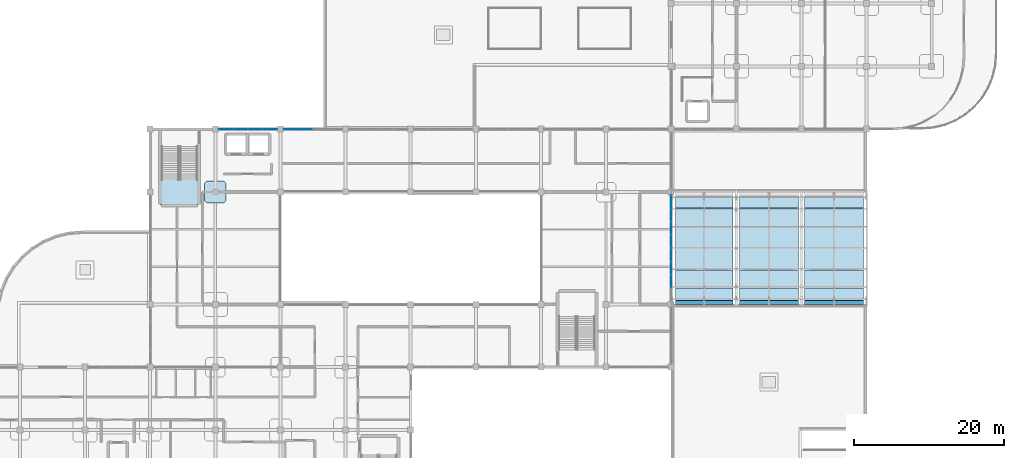
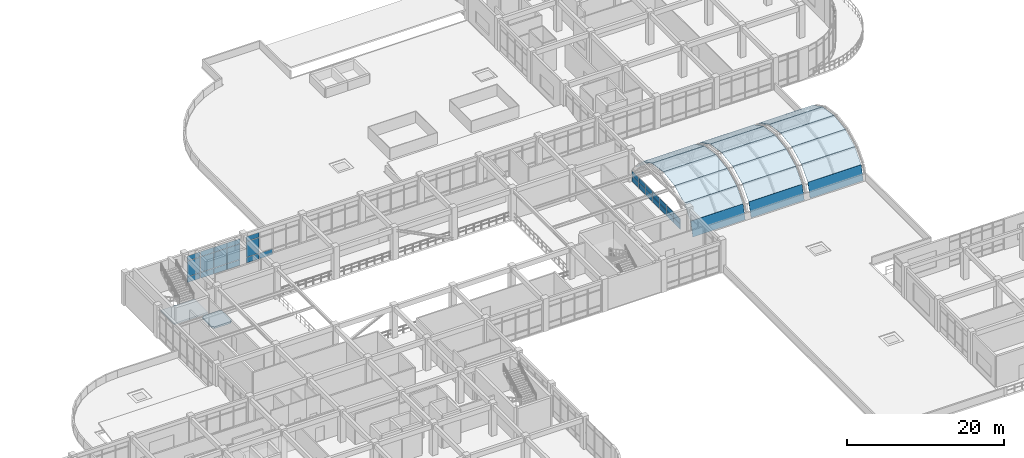
# One storey, part 96 of 124: 51 plates, 2 slabs, 5 elements without a shape of their own.
"""IFC4 building model written with IfcOpenShell, lengths in metres."""

from ifc_helpers import new_model, si_unit, derived_unit, direction, frame, origin, origin_2d, place, context, subcontext, project, spatial, polyline, rectangle, outline, extrude, material, layer, layer_set, type_object, element, aggregate, save


model = new_model("IFC4")

# Units and contexts
model_context = context("Model", 3, precision=1e-05, world=origin(), true_north=direction((0.0, 1.0)))
body_context = subcontext(model_context, "Body", "Model", "MODEL_VIEW")
ifc_project = project(units=[si_unit("LENGTHUNIT", "METRE"), si_unit("AREAUNIT", "SQUARE_METRE"), si_unit("VOLUMEUNIT", "CUBIC_METRE"), si_unit("PLANEANGLEUNIT", "RADIAN"), si_unit("MASSUNIT", "GRAM", prefix="KILO"), derived_unit("THERMALTRANSMITTANCEUNIT", [(si_unit("MASSUNIT", "GRAM", prefix="KILO"), 1), (si_unit("TIMEUNIT", "SECOND"), -3), (si_unit("THERMODYNAMICTEMPERATUREUNIT", "KELVIN"), -1)])], contexts=[model_context])

# Site, building, storey
site_placement = place(None, origin())
site = spatial("IfcSite", under=ifc_project, at=site_placement, CompositionType="ELEMENT")
building_placement = place(site_placement, origin())
building = spatial("IfcBuilding", under=site, at=building_placement, Name="Qinzheling Arcade Emporium", CompositionType="ELEMENT")
storey_placement = place(building_placement, frame((0.0, 0.0, 16.5)))
storey = spatial("IfcBuildingStorey", under=building, at=storey_placement, Name="L04", CompositionType="ELEMENT", Elevation=16.5)

# Plates
ifc_material_1 = material(Name="Ceramic-fritted laminated skylight glass", Category="glass")
ifc_layer_1 = layer(ifc_material_1, 0.032958984375, Name="Ceramic-fritted laminated skylight glass", Category="glass")
ifc_layer_set_1 = layer_set([ifc_layer_1], Name="Ceramic-fritted laminated skylight glass")
plate_type_1 = type_object("IfcPlateType", Name="Barrel Vault Skylight Roof Panel 33mm", PredefinedType="USERDEFINED", material=ifc_layer_set_1)
plate_1_placement = place(storey_placement, frame((104.93994140625, 55.02490234375, 5.20703125), z_axis=(0.0, -0.146826151413, 0.9891623129), x_axis=(1.0, 0.0, 0.0)))
element("IfcPlate", 1, at=plate_1_placement, inside=storey, type_object=plate_type_1, Name="Barrel Vault Skylight Roof Panel SKP-ARCADE-B01-S04", ObjectType="SKYLIGHT_PANEL", PredefinedType="USERDEFINED", context=body_context, shape_type="SweptSolid", body=[
    extrude(outline(polyline([(0.0, 0.0), (7.739990234375, 0.0), (7.739990234375, 2.901563423990607), (0.0, 2.901563423990607), (0.0, 0.0)])), origin(), (0.0, 0.0, -1.0), 0.032958984375),
])
plate_2_placement = place(storey_placement, frame((113.52001953125, 55.02490234375, 5.20703125), z_axis=(0.0, -0.146826151413, 0.9891623129), x_axis=(1.0, 0.0, 0.0)))
element("IfcPlate", 2, at=plate_2_placement, inside=storey, type_object=plate_type_1, Name="Barrel Vault Skylight Roof Panel SKP-ARCADE-B02-S04", ObjectType="SKYLIGHT_PANEL", PredefinedType="USERDEFINED", context=body_context, shape_type="SweptSolid", body=[
    extrude(outline(polyline([(0.0, 0.0), (7.85986328125, 0.0), (7.85986328125, 2.901563423990607), (0.0, 2.901563423990607), (0.0, 0.0)])), origin(), (0.0, 0.0, -1.0), 0.032958984375),
])
plate_3_placement = place(storey_placement, frame((122.219970703125, 55.02490234375, 5.20703125), z_axis=(0.0, -0.146826151413, 0.9891623129), x_axis=(1.0, 0.0, 0.0)))
element("IfcPlate", 3, at=plate_3_placement, inside=storey, type_object=plate_type_1, Name="Barrel Vault Skylight Roof Panel SKP-ARCADE-B03-S04", ObjectType="SKYLIGHT_PANEL", PredefinedType="USERDEFINED", context=body_context, shape_type="SweptSolid", body=[
    extrude(outline(polyline([(0.0, 0.0), (7.860107421875, 0.0), (7.860107421875, 2.901563423990607), (0.0, 2.901563423990607), (0.0, 0.0)])), origin(), (0.0, 0.0, -1.0), 0.032958984375),
])
ifc_layer_2 = layer(ifc_material_1, 0.035888671875, Name="Ceramic-fritted laminated skylight glass", Category="glass")
ifc_layer_set_2 = layer_set([ifc_layer_2], Name="Ceramic-fritted laminated skylight glass")
plate_type_2 = type_object("IfcPlateType", Name="Barrel Vault Skylight Roof Panel 36mm", PredefinedType="USERDEFINED", material=ifc_layer_set_2)
plate_4_placement = place(storey_placement, frame((104.93994140625, 50.364990234375, 0.009033203125), z_axis=(0.0, -0.966284252452, 0.257477656241), x_axis=(1.0, 0.0, 0.0)))
element("IfcPlate", 4, at=plate_4_placement, inside=storey, type_object=plate_type_2, Name="Barrel Vault Skylight Roof Panel SKP-ARCADE-B01-S01", ObjectType="SKYLIGHT_PANEL", PredefinedType="USERDEFINED", context=body_context, shape_type="SweptSolid", body=[
    extrude(outline(polyline([(0.0, 0.0), (7.739990234375, 0.0), (7.739990234375, 2.217842628410888), (0.0, 2.217842628410888), (0.0, 0.0)])), origin(), (0.0, 0.0, -1.0), 0.035888671875),
])
plate_5_placement = place(storey_placement, frame((104.93994140625, 57.905029296875, 5.635986328125), z_axis=(0.0, 0.146838372637, 0.989160498767), x_axis=(1.0, 0.0, 0.0)))
element("IfcPlate", 5, at=plate_5_placement, inside=storey, type_object=plate_type_2, Name="Barrel Vault Skylight Roof Panel SKP-ARCADE-B01-S05", ObjectType="SKYLIGHT_PANEL", PredefinedType="USERDEFINED", context=body_context, shape_type="SweptSolid", body=[
    extrude(outline(polyline([(0.0, 0.0), (7.739990234375, 0.0), (7.739990234375, 2.9013219295067514), (0.0, 2.9013219295067514), (0.0, 0.0)])), origin(), (0.0, 0.0, -1.0), 0.035888671875),
])
plate_6_placement = place(storey_placement, frame((113.52001953125, 50.364990234375, 0.009033203125), z_axis=(0.0, -0.966284252452, 0.257477656241), x_axis=(1.0, 0.0, 0.0)))
element("IfcPlate", 6, at=plate_6_placement, inside=storey, type_object=plate_type_2, Name="Barrel Vault Skylight Roof Panel SKP-ARCADE-B02-S01", ObjectType="SKYLIGHT_PANEL", PredefinedType="USERDEFINED", context=body_context, shape_type="SweptSolid", body=[
    extrude(outline(polyline([(0.0, 0.0), (7.85986328125, 0.0), (7.85986328125, 2.217842628410888), (0.0, 2.217842628410888), (0.0, 0.0)])), origin(), (0.0, 0.0, -1.0), 0.035888671875),
])
plate_7_placement = place(storey_placement, frame((113.52001953125, 57.905029296875, 5.635986328125), z_axis=(0.0, 0.146838372637, 0.989160498767), x_axis=(1.0, 0.0, 0.0)))
element("IfcPlate", 7, at=plate_7_placement, inside=storey, type_object=plate_type_2, Name="Barrel Vault Skylight Roof Panel SKP-ARCADE-B02-S05", ObjectType="SKYLIGHT_PANEL", PredefinedType="USERDEFINED", context=body_context, shape_type="SweptSolid", body=[
    extrude(outline(polyline([(0.0, 0.0), (7.85986328125, 0.0), (7.85986328125, 2.9013219295067514), (0.0, 2.9013219295067514), (0.0, 0.0)])), origin(), (0.0, 0.0, -1.0), 0.035888671875),
])
plate_8_placement = place(storey_placement, frame((122.219970703125, 50.364990234375, 0.009033203125), z_axis=(0.0, -0.966284252452, 0.257477656241), x_axis=(1.0, 0.0, 0.0)))
element("IfcPlate", 8, at=plate_8_placement, inside=storey, type_object=plate_type_2, Name="Barrel Vault Skylight Roof Panel SKP-ARCADE-B03-S01", ObjectType="SKYLIGHT_PANEL", PredefinedType="USERDEFINED", context=body_context, shape_type="SweptSolid", body=[
    extrude(outline(polyline([(0.0, 0.0), (7.860107421875, 0.0), (7.860107421875, 2.217842628410888), (0.0, 2.217842628410888), (0.0, 0.0)])), origin(), (0.0, 0.0, -1.0), 0.035888671875),
])
plate_9_placement = place(storey_placement, frame((122.219970703125, 57.905029296875, 5.635986328125), z_axis=(0.0, 0.146838372637, 0.989160498767), x_axis=(1.0, 0.0, 0.0)))
element("IfcPlate", 9, at=plate_9_placement, inside=storey, type_object=plate_type_2, Name="Barrel Vault Skylight Roof Panel SKP-ARCADE-B03-S05", ObjectType="SKYLIGHT_PANEL", PredefinedType="USERDEFINED", context=body_context, shape_type="SweptSolid", body=[
    extrude(outline(polyline([(0.0, 0.0), (7.860107421875, 0.0), (7.860107421875, 2.901321929506752), (0.0, 2.901321929506752), (0.0, 0.0)])), origin(), (0.0, 0.0, -1.0), 0.035888671875),
])
ifc_layer_3 = layer(ifc_material_1, 0.0400390625, Name="Ceramic-fritted laminated skylight glass", Category="glass")
ifc_layer_set_3 = layer_set([ifc_layer_3], Name="Ceramic-fritted laminated skylight glass")
plate_type_3 = type_object("IfcPlateType", Name="Barrel Vault Skylight Roof Panel 40mm", PredefinedType="USERDEFINED", material=ifc_layer_set_3)
plate_10_placement = place(storey_placement, frame((104.93994140625, 50.94091796875, 2.169921875), z_axis=(0.0, -0.745217745574, 0.666821199184), x_axis=(1.0, 0.0, 0.0)))
element("IfcPlate", 10, at=plate_10_placement, inside=storey, type_object=plate_type_3, Name="Barrel Vault Skylight Roof Panel SKP-ARCADE-B01-S02", ObjectType="SKYLIGHT_PANEL", PredefinedType="USERDEFINED", context=body_context, shape_type="SweptSolid", body=[
    extrude(outline(polyline([(0.0, 0.0), (7.739990234375, 0.0), (7.739990234375, 2.4383996257018565), (0.0, 2.4383996257018565), (0.0, 0.0)])), origin(), (0.0, 0.0, -1.0), 0.0400390625),
])
plate_11_placement = place(storey_placement, frame((104.93994140625, 60.7880859375, 5.2099609375), z_axis=(0.0, 0.446459161146, 0.894804010624), x_axis=(1.0, 0.0, 0.0)))
element("IfcPlate", 11, at=plate_11_placement, inside=storey, type_object=plate_type_3, Name="Barrel Vault Skylight Roof Panel SKP-ARCADE-B01-S06", ObjectType="SKYLIGHT_PANEL", PredefinedType="USERDEFINED", context=body_context, shape_type="SweptSolid", body=[
    extrude(outline(polyline([(0.0, 0.0), (7.739990234375, 0.0), (7.739990234375, 2.7188761999722053), (0.0, 2.7188761999722053), (0.0, 0.0)])), origin(), (0.0, 0.0, -1.0), 0.0400390625),
])
plate_12_placement = place(storey_placement, frame((113.52001953125, 50.94091796875, 2.169921875), z_axis=(0.0, -0.745217745574, 0.666821199184), x_axis=(1.0, 0.0, 0.0)))
element("IfcPlate", 12, at=plate_12_placement, inside=storey, type_object=plate_type_3, Name="Barrel Vault Skylight Roof Panel SKP-ARCADE-B02-S02", ObjectType="SKYLIGHT_PANEL", PredefinedType="USERDEFINED", context=body_context, shape_type="SweptSolid", body=[
    extrude(outline(polyline([(0.0, 0.0), (7.85986328125, 0.0), (7.85986328125, 2.438399625701857), (0.0, 2.438399625701857), (0.0, 0.0)])), origin(), (0.0, 0.0, -1.0), 0.0400390625),
])
plate_13_placement = place(storey_placement, frame((113.52001953125, 60.7880859375, 5.2099609375), z_axis=(0.0, 0.446459161146, 0.894804010624), x_axis=(1.0, 0.0, 0.0)))
element("IfcPlate", 13, at=plate_13_placement, inside=storey, type_object=plate_type_3, Name="Barrel Vault Skylight Roof Panel SKP-ARCADE-B02-S06", ObjectType="SKYLIGHT_PANEL", PredefinedType="USERDEFINED", context=body_context, shape_type="SweptSolid", body=[
    extrude(outline(polyline([(0.0, 0.0), (7.85986328125, 0.0), (7.85986328125, 2.7188761999722053), (0.0, 2.7188761999722053), (0.0, 0.0)])), origin(), (0.0, 0.0, -1.0), 0.0400390625),
])
plate_14_placement = place(storey_placement, frame((122.219970703125, 50.94091796875, 2.169921875), z_axis=(0.0, -0.745217745574, 0.666821199184), x_axis=(1.0, 0.0, 0.0)))
element("IfcPlate", 14, at=plate_14_placement, inside=storey, type_object=plate_type_3, Name="Barrel Vault Skylight Roof Panel SKP-ARCADE-B03-S02", ObjectType="SKYLIGHT_PANEL", PredefinedType="USERDEFINED", context=body_context, shape_type="SweptSolid", body=[
    extrude(outline(polyline([(0.0, 0.0), (7.860107421875, 0.0), (7.860107421875, 2.4383996257018565), (0.0, 2.4383996257018565), (0.0, 0.0)])), origin(), (0.0, 0.0, -1.0), 0.0400390625),
])
plate_15_placement = place(storey_placement, frame((122.219970703125, 60.7880859375, 5.2099609375), z_axis=(0.0, 0.446459161146, 0.894804010624), x_axis=(1.0, 0.0, 0.0)))
element("IfcPlate", 15, at=plate_15_placement, inside=storey, type_object=plate_type_3, Name="Barrel Vault Skylight Roof Panel SKP-ARCADE-B03-S06", ObjectType="SKYLIGHT_PANEL", PredefinedType="USERDEFINED", context=body_context, shape_type="SweptSolid", body=[
    extrude(outline(polyline([(0.0, 0.0), (7.860107421875, 0.0), (7.860107421875, 2.7188761999722053), (0.0, 2.7188761999722053), (0.0, 0.0)])), origin(), (0.0, 0.0, -1.0), 0.0400390625),
])
ifc_layer_4 = layer(ifc_material_1, 0.0439453125, Name="Ceramic-fritted laminated skylight glass", Category="glass")
ifc_layer_set_4 = layer_set([ifc_layer_4], Name="Ceramic-fritted laminated skylight glass")
plate_type_4 = type_object("IfcPlateType", Name="Barrel Vault Skylight Roof Panel 44mm", PredefinedType="USERDEFINED", material=ifc_layer_set_4)
plate_16_placement = place(storey_placement, frame((104.93994140625, 52.576904296875, 3.9990234375), z_axis=(0.0, -0.446423291282, 0.894821906862), x_axis=(1.0, 0.0, 0.0)))
element("IfcPlate", 16, at=plate_16_placement, inside=storey, type_object=plate_type_4, Name="Barrel Vault Skylight Roof Panel SKP-ARCADE-B01-S03", ObjectType="SKYLIGHT_PANEL", PredefinedType="USERDEFINED", context=body_context, shape_type="SweptSolid", body=[
    extrude(outline(polyline([(0.0, 0.0), (7.739990234375, 0.0), (7.739990234375, 2.7190946601672983), (0.0, 2.7190946601672983), (0.0, 0.0)])), origin(), (0.0, 0.0, -1.0), 0.0439453125),
])
plate_17_placement = place(storey_placement, frame((104.93994140625, 63.236083984375, 3.989013671875), z_axis=(0.0, 0.745173220713, 0.666870955382), x_axis=(1.0, 0.0, 0.0)))
element("IfcPlate", 17, at=plate_17_placement, inside=storey, type_object=plate_type_4, Name="Barrel Vault Skylight Roof Panel SKP-ARCADE-B01-S07", ObjectType="SKYLIGHT_PANEL", PredefinedType="USERDEFINED", context=body_context, shape_type="SweptSolid", body=[
    extrude(outline(polyline([(0.0, 0.0), (7.739990234375, 0.0), (7.739990234375, 2.4382176932106523), (0.0, 2.4382176932106523), (0.0, 0.0)])), origin(), (0.0, 0.0, -1.0), 0.0439453125),
])
plate_18_placement = place(storey_placement, frame((113.52001953125, 52.576904296875, 3.9990234375), z_axis=(0.0, -0.446423291282, 0.894821906862), x_axis=(1.0, 0.0, 0.0)))
element("IfcPlate", 18, at=plate_18_placement, inside=storey, type_object=plate_type_4, Name="Barrel Vault Skylight Roof Panel SKP-ARCADE-B02-S03", ObjectType="SKYLIGHT_PANEL", PredefinedType="USERDEFINED", context=body_context, shape_type="SweptSolid", body=[
    extrude(outline(polyline([(0.0, 0.0), (7.85986328125, 0.0), (7.85986328125, 2.7190946601672983), (0.0, 2.7190946601672983), (0.0, 0.0)])), origin(), (0.0, 0.0, -1.0), 0.0439453125),
])
plate_19_placement = place(storey_placement, frame((113.52001953125, 63.236083984375, 3.989013671875), z_axis=(0.0, 0.745173220713, 0.666870955382), x_axis=(1.0, 0.0, 0.0)))
element("IfcPlate", 19, at=plate_19_placement, inside=storey, type_object=plate_type_4, Name="Barrel Vault Skylight Roof Panel SKP-ARCADE-B02-S07", ObjectType="SKYLIGHT_PANEL", PredefinedType="USERDEFINED", context=body_context, shape_type="SweptSolid", body=[
    extrude(outline(polyline([(0.0, 0.0), (7.85986328125, 0.0), (7.85986328125, 2.4382176932106523), (0.0, 2.4382176932106523), (0.0, 0.0)])), origin(), (0.0, 0.0, -1.0), 0.0439453125),
])
plate_20_placement = place(storey_placement, frame((122.219970703125, 52.576904296875, 3.9990234375), z_axis=(0.0, -0.446423291282, 0.894821906862), x_axis=(1.0, 0.0, 0.0)))
element("IfcPlate", 20, at=plate_20_placement, inside=storey, type_object=plate_type_4, Name="Barrel Vault Skylight Roof Panel SKP-ARCADE-B03-S03", ObjectType="SKYLIGHT_PANEL", PredefinedType="USERDEFINED", context=body_context, shape_type="SweptSolid", body=[
    extrude(outline(polyline([(0.0, 0.0), (7.860107421875, 0.0), (7.860107421875, 2.7190946601672987), (0.0, 2.7190946601672987), (0.0, 0.0)])), origin(), (0.0, 0.0, -1.0), 0.0439453125),
])
plate_21_placement = place(storey_placement, frame((122.219970703125, 63.236083984375, 3.989013671875), z_axis=(0.0, 0.745173220713, 0.666870955382), x_axis=(1.0, 0.0, 0.0)))
element("IfcPlate", 21, at=plate_21_placement, inside=storey, type_object=plate_type_4, Name="Barrel Vault Skylight Roof Panel SKP-ARCADE-B03-S07", ObjectType="SKYLIGHT_PANEL", PredefinedType="USERDEFINED", context=body_context, shape_type="SweptSolid", body=[
    extrude(outline(polyline([(0.0, 0.0), (7.860107421875, 0.0), (7.860107421875, 2.4382176932106523), (0.0, 2.4382176932106523), (0.0, 0.0)])), origin(), (0.0, 0.0, -1.0), 0.0439453125),
])

# Slab
ifc_material_2 = material(Name="Concrete C40", Category="concrete")
ifc_layer_5 = layer(ifc_material_2, 0.27001953125, Name="Concrete C40", Category="concrete")
ifc_layer_set_5 = layer_set([ifc_layer_5], Name="Concrete C40")
slab_type_1 = type_object("IfcSlabType", Name="Column Head Drop Panel 2900x2900x270 C40", PredefinedType="USERDEFINED", material=ifc_layer_set_5)
slab_1_placement = place(storey_placement, frame((0.0, 0.0, -0.550048828125)))
element("IfcSlab", 22, at=slab_1_placement, inside=storey, type_object=slab_type_1, Name="Column Drop Panel DP-L04-6-H", ObjectType="DROP_PANEL", PredefinedType="USERDEFINED", context=body_context, shape_type="SweptSolid", body=[
    extrude(outline(polyline([(42.330078125, 63.949951171875), (44.669921875, 63.949951171875), (44.949951171875, 64.22998046875), (44.949951171875, 66.570068359375), (44.669921875, 66.85009765625), (42.330078125, 66.85009765625), (42.050048828125, 66.570068359375), (42.050048828125, 64.22998046875), (42.330078125, 63.949951171875)])), origin(), (0.0, 0.0, 1.0), 0.27001953125),
])

# Curtain wall, plates
ifc_material_3 = material(Name="Anodised aluminium and solar-control double glazing", Category="aluminium")
ifc_layer_6 = layer(ifc_material_3, 0.159912109375, Name="Anodised aluminium and solar-control double glazing", Category="aluminium")
ifc_layer_set_6 = layer_set([ifc_layer_6], Name="Anodised aluminium and solar-control double glazing")
curtain_wall_type = type_object("IfcCurtainWallType", Name="Atrium Clerestory Curtain Wall", PredefinedType="NOTDEFINED", material=ifc_layer_set_6)
curtain_wall_1_placement = place(storey_placement, origin())
curtain_wall_1 = element("IfcCurtainWall", 23, at=curtain_wall_1_placement, inside=storey, type_object=curtain_wall_type, Name="Curtain Wall CW-L04-243", PredefinedType="NOTDEFINED")
ifc_material_4 = material(Name="Laminated solar-control double glazing", Category="glass")
ifc_layer_7 = layer(ifc_material_4, 0.028076171875, Name="Laminated solar-control double glazing", Category="glass")
ifc_layer_set_7 = layer_set([ifc_layer_7], Name="Laminated solar-control double glazing")
plate_type_5 = type_object("IfcPlateType", Name="Low-E Double Glazed Curtain Panel 28mm", PredefinedType="CURTAIN_PANEL", material=ifc_layer_set_7)
plate_22_placement = place(storey_placement, frame((44.904052734375, 73.800048828125, 0.06005859375), z_axis=(0.0, 0.0, 1.0), x_axis=(1.0, 0.0, 0.0)))
plate_22 = element("IfcPlate", 24, at=plate_22_placement, type_object=plate_type_5, Name="CW03 panel 1.1", PredefinedType="CURTAIN_PANEL", context=body_context, shape_type="SweptSolid", body=[
    extrude(rectangle(XDim=1.884033203125, YDim=0.028076171875, at=origin_2d()), origin(), (0.0, 0.0, 1.0), 0.860107421875),
])
plate_23_placement = place(storey_placement, frame((44.904052734375, 73.800048828125, 0.97998046875), z_axis=(0.0, 0.0, 1.0), x_axis=(1.0, 0.0, 0.0)))
plate_23 = element("IfcPlate", 25, at=plate_23_placement, type_object=plate_type_5, Name="CW03 panel 1.2", PredefinedType="CURTAIN_PANEL", context=body_context, shape_type="SweptSolid", body=[
    extrude(rectangle(XDim=1.884033203125, YDim=0.028076171875, at=origin_2d()), origin(), (0.0, 0.0, 1.0), 2.39501953125),
])
plate_24_placement = place(storey_placement, frame((44.904052734375, 73.800048828125, 3.43505859375), z_axis=(0.0, 0.0, 1.0), x_axis=(1.0, 0.0, 0.0)))
plate_24 = element("IfcPlate", 26, at=plate_24_placement, type_object=plate_type_5, Name="CW03 panel 1.3", PredefinedType="CURTAIN_PANEL", context=body_context, shape_type="SweptSolid", body=[
    extrude(rectangle(XDim=1.884033203125, YDim=0.028076171875, at=origin_2d()), origin(), (0.0, 0.0, 1.0), 0.760009765625),
])
plate_25_placement = place(storey_placement, frame((46.863037109375, 73.800048828125, 0.06005859375), z_axis=(0.0, 0.0, 1.0), x_axis=(1.0, 0.0, 0.0)))
plate_25 = element("IfcPlate", 27, at=plate_25_placement, type_object=plate_type_5, Name="CW03 panel 2.1", PredefinedType="CURTAIN_PANEL", context=body_context, shape_type="SweptSolid", body=[
    extrude(rectangle(XDim=1.9140625, YDim=0.028076171875, at=origin_2d()), origin(), (0.0, 0.0, 1.0), 0.860107421875),
])
plate_26_placement = place(storey_placement, frame((46.863037109375, 73.800048828125, 0.97998046875), z_axis=(0.0, 0.0, 1.0), x_axis=(1.0, 0.0, 0.0)))
plate_26 = element("IfcPlate", 28, at=plate_26_placement, type_object=plate_type_5, Name="CW03 panel 2.2", PredefinedType="CURTAIN_PANEL", context=body_context, shape_type="SweptSolid", body=[
    extrude(rectangle(XDim=1.9140625, YDim=0.028076171875, at=origin_2d()), origin(), (0.0, 0.0, 1.0), 2.39501953125),
])
plate_27_placement = place(storey_placement, frame((46.863037109375, 73.800048828125, 3.43505859375), z_axis=(0.0, 0.0, 1.0), x_axis=(1.0, 0.0, 0.0)))
plate_27 = element("IfcPlate", 29, at=plate_27_placement, type_object=plate_type_5, Name="CW03 panel 2.3", PredefinedType="CURTAIN_PANEL", context=body_context, shape_type="SweptSolid", body=[
    extrude(rectangle(XDim=1.9140625, YDim=0.028076171875, at=origin_2d()), origin(), (0.0, 0.0, 1.0), 0.760009765625),
])
plate_28_placement = place(storey_placement, frame((48.8369140625, 73.800048828125, 0.06005859375), z_axis=(0.0, 0.0, 1.0), x_axis=(1.0, 0.0, 0.0)))
plate_28 = element("IfcPlate", 30, at=plate_28_placement, type_object=plate_type_5, Name="CW03 panel 3.1", PredefinedType="CURTAIN_PANEL", context=body_context, shape_type="SweptSolid", body=[
    extrude(rectangle(XDim=1.9140625, YDim=0.028076171875, at=origin_2d()), origin(), (0.0, 0.0, 1.0), 0.860107421875),
])
plate_29_placement = place(storey_placement, frame((48.8369140625, 73.800048828125, 0.97998046875), z_axis=(0.0, 0.0, 1.0), x_axis=(1.0, 0.0, 0.0)))
plate_29 = element("IfcPlate", 31, at=plate_29_placement, type_object=plate_type_5, Name="CW03 panel 3.2", PredefinedType="CURTAIN_PANEL", context=body_context, shape_type="SweptSolid", body=[
    extrude(rectangle(XDim=1.9140625, YDim=0.028076171875, at=origin_2d()), origin(), (0.0, 0.0, 1.0), 2.39501953125),
])
plate_30_placement = place(storey_placement, frame((48.8369140625, 73.800048828125, 3.43505859375), z_axis=(0.0, 0.0, 1.0), x_axis=(1.0, 0.0, 0.0)))
plate_30 = element("IfcPlate", 32, at=plate_30_placement, type_object=plate_type_5, Name="CW03 panel 3.3", PredefinedType="CURTAIN_PANEL", context=body_context, shape_type="SweptSolid", body=[
    extrude(rectangle(XDim=1.9140625, YDim=0.028076171875, at=origin_2d()), origin(), (0.0, 0.0, 1.0), 0.760009765625),
])
plate_31_placement = place(storey_placement, frame((50.7958984375, 73.800048828125, 0.06005859375), z_axis=(0.0, 0.0, 1.0), x_axis=(1.0, 0.0, 0.0)))
plate_31 = element("IfcPlate", 33, at=plate_31_placement, type_object=plate_type_5, Name="CW03 panel 4.1", PredefinedType="CURTAIN_PANEL", context=body_context, shape_type="SweptSolid", body=[
    extrude(rectangle(XDim=1.884033203125, YDim=0.028076171875, at=origin_2d()), origin(), (0.0, 0.0, 1.0), 0.860107421875),
])
plate_32_placement = place(storey_placement, frame((50.7958984375, 73.800048828125, 0.97998046875), z_axis=(0.0, 0.0, 1.0), x_axis=(1.0, 0.0, 0.0)))
plate_32 = element("IfcPlate", 34, at=plate_32_placement, type_object=plate_type_5, Name="CW03 panel 4.2", PredefinedType="CURTAIN_PANEL", context=body_context, shape_type="SweptSolid", body=[
    extrude(rectangle(XDim=1.884033203125, YDim=0.028076171875, at=origin_2d()), origin(), (0.0, 0.0, 1.0), 2.39501953125),
])
plate_33_placement = place(storey_placement, frame((50.7958984375, 73.800048828125, 3.43505859375), z_axis=(0.0, 0.0, 1.0), x_axis=(1.0, 0.0, 0.0)))
plate_33 = element("IfcPlate", 35, at=plate_33_placement, type_object=plate_type_5, Name="CW03 panel 4.3", PredefinedType="CURTAIN_PANEL", context=body_context, shape_type="SweptSolid", body=[
    extrude(rectangle(XDim=1.884033203125, YDim=0.028076171875, at=origin_2d()), origin(), (0.0, 0.0, 1.0), 0.760009765625),
])
aggregate(curtain_wall_1, [plate_22, plate_23, plate_24, plate_25, plate_26, plate_27, plate_28, plate_29, plate_30, plate_31, plate_32, plate_33])

curtain_wall_2_placement = place(storey_placement, origin())
curtain_wall_2 = element("IfcCurtainWall", 36, at=curtain_wall_2_placement, inside=storey, type_object=curtain_wall_type, Name="Curtain Wall CW-L04-244", PredefinedType="NOTDEFINED")
ifc_layer_8 = layer(ifc_material_4, 0.029052734375, Name="Laminated solar-control double glazing", Category="glass")
ifc_layer_set_8 = layer_set([ifc_layer_8], Name="Laminated solar-control double glazing")
plate_type_6 = type_object("IfcPlateType", Name="Low-E Double Glazed Curtain Panel 29mm", PredefinedType="CURTAIN_PANEL", material=ifc_layer_set_8)
plate_34_placement = place(storey_placement, frame((53.60400390625, 73.800048828125, 0.06005859375), z_axis=(0.0, 0.0, 1.0), x_axis=(1.0, 0.0, 0.0)))
plate_34 = element("IfcPlate", 37, at=plate_34_placement, type_object=plate_type_6, Name="CW03 panel 1.1", PredefinedType="CURTAIN_PANEL", context=body_context, shape_type="SweptSolid", body=[
    extrude(rectangle(XDim=1.884033203125, YDim=0.029052734375, at=origin_2d()), origin(), (0.0, 0.0, 1.0), 0.860107421875),
])
plate_35_placement = place(storey_placement, frame((53.60400390625, 73.800048828125, 0.97998046875), z_axis=(0.0, 0.0, 1.0), x_axis=(1.0, 0.0, 0.0)))
plate_35 = element("IfcPlate", 38, at=plate_35_placement, type_object=plate_type_6, Name="CW03 panel 1.2", PredefinedType="CURTAIN_PANEL", context=body_context, shape_type="SweptSolid", body=[
    extrude(rectangle(XDim=1.884033203125, YDim=0.029052734375, at=origin_2d()), origin(), (0.0, 0.0, 1.0), 2.39501953125),
])
plate_36_placement = place(storey_placement, frame((53.60400390625, 73.800048828125, 3.43505859375), z_axis=(0.0, 0.0, 1.0), x_axis=(1.0, 0.0, 0.0)))
plate_36 = element("IfcPlate", 39, at=plate_36_placement, type_object=plate_type_6, Name="CW03 panel 1.3", PredefinedType="CURTAIN_PANEL", context=body_context, shape_type="SweptSolid", body=[
    extrude(rectangle(XDim=1.884033203125, YDim=0.029052734375, at=origin_2d()), origin(), (0.0, 0.0, 1.0), 0.760009765625),
])
plate_37_placement = place(storey_placement, frame((55.56298828125, 73.800048828125, 0.06005859375), z_axis=(0.0, 0.0, 1.0), x_axis=(1.0, 0.0, 0.0)))
plate_37 = element("IfcPlate", 40, at=plate_37_placement, type_object=plate_type_6, Name="CW03 panel 2.1", PredefinedType="CURTAIN_PANEL", context=body_context, shape_type="SweptSolid", body=[
    extrude(rectangle(XDim=1.9140625, YDim=0.029052734375, at=origin_2d()), origin(), (0.0, 0.0, 1.0), 0.860107421875),
])
aggregate(curtain_wall_2, [plate_34, plate_35, plate_36, plate_37])

curtain_wall_3_placement = place(storey_placement, origin())
curtain_wall_3 = element("IfcCurtainWall", 41, at=curtain_wall_3_placement, inside=storey, type_object=curtain_wall_type, Name="Curtain Wall CW-L04-251", PredefinedType="NOTDEFINED")
ifc_layer_9 = layer(ifc_material_4, 0.0400390625, Name="Laminated solar-control double glazing", Category="glass")
ifc_layer_set_9 = layer_set([ifc_layer_9], Name="Laminated solar-control double glazing")
plate_type_7 = type_object("IfcPlateType", Name="Low-E Double Glazed Curtain Panel 40mm", PredefinedType="CURTAIN_PANEL", material=ifc_layer_set_9)
plate_38_placement = place(storey_placement, frame((104.39990234375, 64.095947265625, 0.06005859375), z_axis=(0.0, 0.0, 1.0), x_axis=(0.0, -1.0, 0.0)))
plate_38 = element("IfcPlate", 42, at=plate_38_placement, type_object=plate_type_7, Name="CW03 panel 1.1", PredefinedType="CURTAIN_PANEL", context=body_context, shape_type="SweptSolid", body=[
    extrude(rectangle(XDim=1.68408203125, YDim=0.0400390625, at=origin_2d()), origin(), (0.0, 0.0, 1.0), 0.7900390625),
])
plate_39_placement = place(storey_placement, frame((104.39990234375, 64.095947265625, 0.909912109375), z_axis=(0.0, 0.0, 1.0), x_axis=(0.0, -1.0, 0.0)))
plate_39 = element("IfcPlate", 43, at=plate_39_placement, type_object=plate_type_7, Name="CW03 panel 1.2", PredefinedType="CURTAIN_PANEL", context=body_context, shape_type="SweptSolid", body=[
    extrude(rectangle(XDim=1.68408203125, YDim=0.0400390625, at=origin_2d()), origin(), (0.0, 0.0, 1.0), 0.7890625),
])
plate_40_placement = place(storey_placement, frame((104.39990234375, 62.3369140625, 0.06005859375), z_axis=(0.0, 0.0, 1.0), x_axis=(0.0, -1.0, 0.0)))
plate_40 = element("IfcPlate", 44, at=plate_40_placement, type_object=plate_type_7, Name="CW03 panel 2.1", PredefinedType="CURTAIN_PANEL", context=body_context, shape_type="SweptSolid", body=[
    extrude(rectangle(XDim=1.714111328125, YDim=0.0400390625, at=origin_2d()), origin(), (0.0, 0.0, 1.0), 0.7900390625),
])
plate_41_placement = place(storey_placement, frame((104.39990234375, 62.3369140625, 0.909912109375), z_axis=(0.0, 0.0, 1.0), x_axis=(0.0, -1.0, 0.0)))
plate_41 = element("IfcPlate", 45, at=plate_41_placement, type_object=plate_type_7, Name="CW03 panel 2.2", PredefinedType="CURTAIN_PANEL", context=body_context, shape_type="SweptSolid", body=[
    extrude(rectangle(XDim=1.714111328125, YDim=0.0400390625, at=origin_2d()), origin(), (0.0, 0.0, 1.0), 0.7890625),
])
plate_42_placement = place(storey_placement, frame((104.39990234375, 60.56298828125, 0.06005859375), z_axis=(0.0, 0.0, 1.0), x_axis=(0.0, -1.0, 0.0)))
plate_42 = element("IfcPlate", 46, at=plate_42_placement, type_object=plate_type_7, Name="CW03 panel 3.1", PredefinedType="CURTAIN_PANEL", context=body_context, shape_type="SweptSolid", body=[
    extrude(rectangle(XDim=1.714111328125, YDim=0.0400390625, at=origin_2d()), origin(), (0.0, 0.0, 1.0), 0.7900390625),
])
plate_43_placement = place(storey_placement, frame((104.39990234375, 60.56298828125, 0.909912109375), z_axis=(0.0, 0.0, 1.0), x_axis=(0.0, -1.0, 0.0)))
plate_43 = element("IfcPlate", 47, at=plate_43_placement, type_object=plate_type_7, Name="CW03 panel 3.2", PredefinedType="CURTAIN_PANEL", context=body_context, shape_type="SweptSolid", body=[
    extrude(rectangle(XDim=1.714111328125, YDim=0.0400390625, at=origin_2d()), origin(), (0.0, 0.0, 1.0), 0.7890625),
])
plate_44_placement = place(storey_placement, frame((104.39990234375, 58.803955078125, 0.06005859375), z_axis=(0.0, 0.0, 1.0), x_axis=(0.0, -1.0, 0.0)))
plate_44 = element("IfcPlate", 48, at=plate_44_placement, type_object=plate_type_7, Name="CW03 panel 4.1", PredefinedType="CURTAIN_PANEL", context=body_context, shape_type="SweptSolid", body=[
    extrude(rectangle(XDim=1.68408203125, YDim=0.0400390625, at=origin_2d()), origin(), (0.0, 0.0, 1.0), 0.7900390625),
])
plate_45_placement = place(storey_placement, frame((104.39990234375, 58.803955078125, 0.909912109375), z_axis=(0.0, 0.0, 1.0), x_axis=(0.0, -1.0, 0.0)))
plate_45 = element("IfcPlate", 49, at=plate_45_placement, type_object=plate_type_7, Name="CW03 panel 4.2", PredefinedType="CURTAIN_PANEL", context=body_context, shape_type="SweptSolid", body=[
    extrude(rectangle(XDim=1.68408203125, YDim=0.0400390625, at=origin_2d()), origin(), (0.0, 0.0, 1.0), 0.7890625),
])
aggregate(curtain_wall_3, [plate_38, plate_39, plate_40, plate_41, plate_42, plate_43, plate_44, plate_45])

curtain_wall_4_placement = place(storey_placement, origin())
curtain_wall_4 = element("IfcCurtainWall", 50, at=curtain_wall_4_placement, inside=storey, type_object=curtain_wall_type, Name="Curtain Wall CW-L04-252", PredefinedType="NOTDEFINED")
ifc_layer_10 = layer(ifc_material_4, 0.0419921875, Name="Laminated solar-control double glazing", Category="glass")
ifc_layer_set_10 = layer_set([ifc_layer_10], Name="Laminated solar-control double glazing")
plate_type_8 = type_object("IfcPlateType", Name="Low-E Double Glazed Curtain Panel 42mm", PredefinedType="CURTAIN_PANEL", material=ifc_layer_set_10)
plate_46_placement = place(storey_placement, frame((104.39990234375, 56.99609375, 0.06005859375), z_axis=(0.0, 0.0, 1.0), x_axis=(0.0, -1.0, 0.0)))
plate_46 = element("IfcPlate", 51, at=plate_46_placement, type_object=plate_type_8, Name="CW03 panel 1.1", PredefinedType="CURTAIN_PANEL", context=body_context, shape_type="SweptSolid", body=[
    extrude(rectangle(XDim=1.68408203125, YDim=0.0419921875, at=origin_2d()), origin(), (0.0, 0.0, 1.0), 0.7900390625),
])
plate_47_placement = place(storey_placement, frame((104.39990234375, 56.99609375, 0.909912109375), z_axis=(0.0, 0.0, 1.0), x_axis=(0.0, -1.0, 0.0)))
plate_47 = element("IfcPlate", 52, at=plate_47_placement, type_object=plate_type_8, Name="CW03 panel 1.2", PredefinedType="CURTAIN_PANEL", context=body_context, shape_type="SweptSolid", body=[
    extrude(rectangle(XDim=1.68408203125, YDim=0.0419921875, at=origin_2d()), origin(), (0.0, 0.0, 1.0), 0.7890625),
])
plate_48_placement = place(storey_placement, frame((104.39990234375, 55.237060546875, 0.06005859375), z_axis=(0.0, 0.0, 1.0), x_axis=(0.0, -1.0, 0.0)))
plate_48 = element("IfcPlate", 53, at=plate_48_placement, type_object=plate_type_8, Name="CW03 panel 2.1", PredefinedType="CURTAIN_PANEL", context=body_context, shape_type="SweptSolid", body=[
    extrude(rectangle(XDim=1.714111328125, YDim=0.0419921875, at=origin_2d()), origin(), (0.0, 0.0, 1.0), 0.7900390625),
])
plate_49_placement = place(storey_placement, frame((104.39990234375, 55.237060546875, 0.909912109375), z_axis=(0.0, 0.0, 1.0), x_axis=(0.0, -1.0, 0.0)))
plate_49 = element("IfcPlate", 54, at=plate_49_placement, type_object=plate_type_8, Name="CW03 panel 2.2", PredefinedType="CURTAIN_PANEL", context=body_context, shape_type="SweptSolid", body=[
    extrude(rectangle(XDim=1.714111328125, YDim=0.0419921875, at=origin_2d()), origin(), (0.0, 0.0, 1.0), 0.7890625),
])
plate_50_placement = place(storey_placement, frame((104.39990234375, 53.462890625, 0.06005859375), z_axis=(0.0, 0.0, 1.0), x_axis=(0.0, -1.0, 0.0)))
plate_50 = element("IfcPlate", 55, at=plate_50_placement, type_object=plate_type_8, Name="CW03 panel 3.1", PredefinedType="CURTAIN_PANEL", context=body_context, shape_type="SweptSolid", body=[
    extrude(rectangle(XDim=1.714111328125, YDim=0.0419921875, at=origin_2d()), origin(), (0.0, 0.0, 1.0), 0.7900390625),
])
plate_51_placement = place(storey_placement, frame((104.39990234375, 53.462890625, 0.909912109375), z_axis=(0.0, 0.0, 1.0), x_axis=(0.0, -1.0, 0.0)))
plate_51 = element("IfcPlate", 56, at=plate_51_placement, type_object=plate_type_8, Name="CW03 panel 3.2", PredefinedType="CURTAIN_PANEL", context=body_context, shape_type="SweptSolid", body=[
    extrude(rectangle(XDim=1.714111328125, YDim=0.0419921875, at=origin_2d()), origin(), (0.0, 0.0, 1.0), 0.7890625),
])
aggregate(curtain_wall_4, [plate_46, plate_47, plate_48, plate_49, plate_50, plate_51])

# Stair, slab
stair_type = type_object("IfcStairType", Name="Cast-in-Situ Dog-Leg Escape Stair H5100", PredefinedType="HALF_TURN_STAIR", material=ifc_material_2)
stair_placement = place(storey_placement, origin())
stair = element("IfcStair", 57, at=stair_placement, inside=storey, type_object=stair_type, Name="L04 ST03", PredefinedType="HALF_TURN_STAIR")
ifc_layer_11 = layer(ifc_material_2, 0.199951171875, Name="Concrete C40", Category="concrete")
ifc_layer_set_11 = layer_set([ifc_layer_11], Name="Concrete C40")
slab_type_2 = type_object("IfcSlabType", Name="Stair Half-Turn Landing Slab 200 C40", PredefinedType="LANDING", material=ifc_layer_set_11)
slab_2_placement = place(storey_placement, frame((0.0, 0.0, 2.35009765625)))
slab_2 = element("IfcSlab", 58, at=slab_2_placement, type_object=slab_type_2, Name="ST03 landing 1", PredefinedType="LANDING", context=body_context, shape_type="SweptSolid", body=[
    extrude(outline(polyline([(36.179931640625, 67.1201171875), (41.2099609375, 67.1201171875), (41.2099609375, 63.679931640625), (36.179931640625, 63.679931640625), (36.179931640625, 67.1201171875)])), origin(), (0.0, 0.0, 1.0), 0.199951171875),
])
aggregate(stair, [slab_2])

save(model, "model.ifc")
